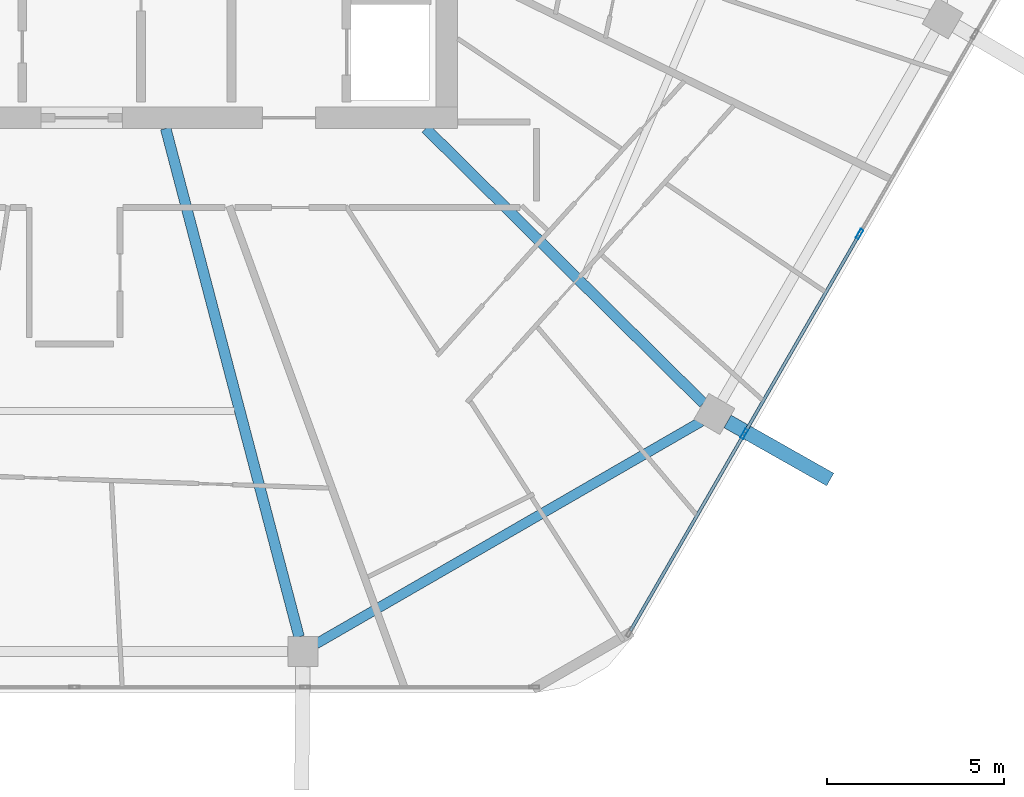
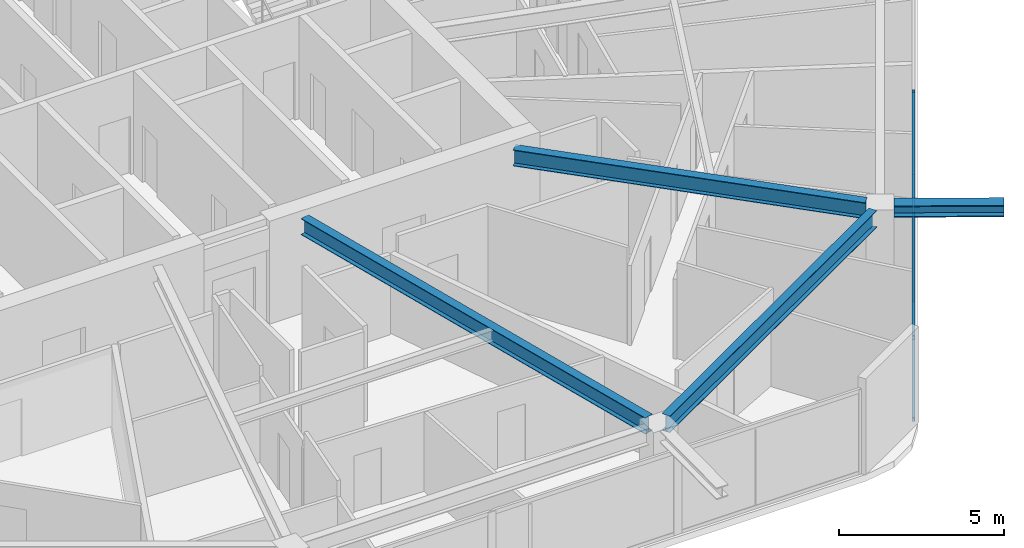
# One storey, part 8 of 26: 6 members, 4 beams, 1 element without a shape of its own.
"""IFC4 building model written with IfcOpenShell, lengths in metres."""

from ifc_helpers import new_model, si_unit, direction, frame, origin, origin_2d, place, context, subcontext, project, spatial, hollow_rectangle, i_section, extrude, material, material_profile, profile_set, type_object, element, aggregate, save


model = new_model("IFC4")

# Units and contexts
model_context = context("Model", 3, precision=1e-05, world=origin(), true_north=direction((0.0, 1.0)))
body_context = subcontext(model_context, "Body", "Model", "MODEL_VIEW")
ifc_project = project(units=[si_unit("LENGTHUNIT", "METRE"), si_unit("AREAUNIT", "SQUARE_METRE"), si_unit("VOLUMEUNIT", "CUBIC_METRE"), si_unit("PLANEANGLEUNIT", "RADIAN"), si_unit("MASSUNIT", "GRAM", prefix="KILO")], contexts=[model_context])

# Site, building, storey
site_placement = place(None, origin())
site = spatial("IfcSite", under=ifc_project, at=site_placement, CompositionType="ELEMENT")
building_placement = place(site_placement, origin())
building = spatial("IfcBuilding", under=site, at=building_placement, Name="Zuhravey Tower", CompositionType="ELEMENT")
storey_placement = place(building_placement, frame((0.0, 0.0, 295.800048828125)))
storey = spatial("IfcBuildingStorey", under=building, at=storey_placement, Name="L75", CompositionType="ELEMENT", Elevation=295.800048828125)

# Curtain wall, members
ifc_material_1 = material(Name="Thermally broken anodised aluminium", Category="aluminium")
curtain_wall_type = type_object("IfcCurtainWallType", Name="Zone 3-4 High-Rise Curtain Wall CW4", PredefinedType="NOTDEFINED", material=ifc_material_1)
curtain_wall_placement = place(storey_placement, origin())
curtain_wall = element("IfcCurtainWall", 1, at=curtain_wall_placement, inside=storey, type_object=curtain_wall_type, Name="L75 CW4 CW-L75-F6-1", PredefinedType="NOTDEFINED")
ifc_material_2 = material(Name="Anodised aluminium", Category="aluminium")
ifc_material_profile_1 = material_profile(ifc_material_2, hollow_rectangle(XDim=0.090087890625, YDim=0.284912109375, WallThickness=0.0048828125, at=origin_2d()), Name="ALU-RHS-90x285x5")
ifc_profile_set_1 = profile_set([ifc_material_profile_1], Name="Anodised aluminium")
member_type_1 = type_object("IfcMemberType", Name="Curtain-Wall Mullion 90x180", PredefinedType="MULLION", material=ifc_profile_set_1)
member_1_placement = place(storey_placement, frame((58.138671875, 19.21826171875, 0.0), z_axis=(0.0, 0.0, 1.0), x_axis=(0.866024851021, -0.500000957414, 0.0)))
member_1 = element("IfcMember", 2, at=member_1_placement, type_object=member_type_1, Name="CW4 mullion 3", PredefinedType="MULLION", context=body_context, shape_type="SweptSolid", body=[
    extrude(hollow_rectangle(XDim=0.090087890625, YDim=0.284912109375, WallThickness=0.0048828125, at=origin_2d()), origin(), (0.0, 0.0, 1.0), 3.1220703125),
])
member_2_placement = place(storey_placement, frame((54.885498046875, 13.58349609375, 0.0), z_axis=(0.0, 0.0, 1.0), x_axis=(0.866024851021, -0.500000957414, 0.0)))
member_2 = element("IfcMember", 3, at=member_2_placement, type_object=member_type_1, Name="CW4 mullion 4", PredefinedType="MULLION", context=body_context, shape_type="SweptSolid", body=[
    extrude(hollow_rectangle(XDim=0.090087890625, YDim=0.284912109375, WallThickness=0.0048828125, at=origin_2d()), origin(), (0.0, 0.0, 1.0), 3.1220703125),
])
ifc_material_profile_2 = material_profile(ifc_material_2, hollow_rectangle(XDim=0.090087890625, YDim=0.14990234375, WallThickness=0.0048828125, at=origin_2d()), Name="ALU-RHS-90x150x5")
ifc_profile_set_2 = profile_set([ifc_material_profile_2], Name="Anodised aluminium")
member_type_2 = type_object("IfcMemberType", Name="Curtain-Wall Transom 90x150", PredefinedType="USERDEFINED", material=ifc_profile_set_2)
member_3_placement = place(storey_placement, frame((58.1162109375, 19.17919921875, 0.044921875), z_axis=(-0.500014493347, -0.866017035885, 0.0), x_axis=(0.866017035885, -0.500014493347, 0.0)))
member_3 = element("IfcMember", 4, at=member_3_placement, type_object=member_type_2, Name="CW4 transom 3.1", ObjectType="TRANSOM", PredefinedType="USERDEFINED", context=body_context, shape_type="SweptSolid", body=[
    extrude(hollow_rectangle(XDim=0.090087890625, YDim=0.14990234375, WallThickness=0.0048828125, at=origin_2d()), origin(), (0.0, 0.0, 1.0), 6.416259765625),
])
member_4_placement = place(storey_placement, frame((58.1162109375, 19.17919921875, 3.076904296875), z_axis=(-0.500014493347, -0.866017035885, 0.0), x_axis=(0.866017035885, -0.500014493347, 0.0)))
member_4 = element("IfcMember", 5, at=member_4_placement, type_object=member_type_2, Name="CW4 transom 3.2", ObjectType="TRANSOM", PredefinedType="USERDEFINED", context=body_context, shape_type="SweptSolid", body=[
    extrude(hollow_rectangle(XDim=0.090087890625, YDim=0.14990234375, WallThickness=0.0048828125, at=origin_2d()), origin(), (0.0, 0.0, 1.0), 6.416259765625),
])
member_5_placement = place(storey_placement, frame((54.863037109375, 13.544677734375, 0.044921875), z_axis=(-0.499980071345, -0.866036909293, 0.0), x_axis=(0.866036909293, -0.499980071345, 0.0)))
member_5 = element("IfcMember", 6, at=member_5_placement, type_object=member_type_2, Name="CW4 transom 4.1", ObjectType="TRANSOM", PredefinedType="USERDEFINED", context=body_context, shape_type="SweptSolid", body=[
    extrude(hollow_rectangle(XDim=0.090087890625, YDim=0.14990234375, WallThickness=0.0048828125, at=origin_2d()), origin(), (0.0, 0.0, 1.0), 6.371337890625),
])
member_6_placement = place(storey_placement, frame((54.863037109375, 13.544677734375, 3.076904296875), z_axis=(-0.499980071345, -0.866036909293, 0.0), x_axis=(0.866036909293, -0.499980071345, 0.0)))
member_6 = element("IfcMember", 7, at=member_6_placement, type_object=member_type_2, Name="CW4 transom 4.2", ObjectType="TRANSOM", PredefinedType="USERDEFINED", context=body_context, shape_type="SweptSolid", body=[
    extrude(hollow_rectangle(XDim=0.090087890625, YDim=0.14990234375, WallThickness=0.0048828125, at=origin_2d()), origin(), (0.0, 0.0, 1.0), 6.371337890625),
])
aggregate(curtain_wall, [member_1, member_2, member_3, member_4, member_5, member_6])

# Beams
ifc_material_3 = material(Name="Steel SM460", Category="steel")
ifc_material_profile_3 = material_profile(ifc_material_3, i_section(OverallWidth=0.406982421875, OverallDepth=0.427978515625, WebThickness=0.02001953125, FlangeThickness=0.034912109375, at=origin_2d()), Name="H-428x407x20x35")
ifc_profile_set_3 = profile_set([ifc_material_profile_3], Name="Steel SM460")
beam_type_1 = type_object("IfcBeamType", Name="Exoskeleton Node Tie Beam H428x407", PredefinedType="BEAM", material=ifc_profile_set_3)
beam_1_placement = place(storey_placement, frame((54.4169921875, 13.93408203125, 3.3359375), z_axis=(0.870385064001, -0.492371648619, 0.0), x_axis=(0.492371648619, 0.870385064001, 0.0)))
element("IfcBeam", 8, at=beam_1_placement, inside=storey, type_object=beam_type_1, Name="L75 Exoskeleton Node Tie NT1-11", PredefinedType="BEAM", context=body_context, shape_type="SweptSolid", body=[
    extrude(i_section(OverallWidth=0.406982421875, OverallDepth=0.427978515625, WebThickness=0.02001953125, FlangeThickness=0.034912109375, at=origin_2d()), origin(), (0.0, 0.0, 1.0), 3.326171875),
])
ifc_material_4 = material(Name="Steel SM355", Category="steel")
ifc_material_profile_4 = material_profile(ifc_material_4, i_section(OverallWidth=0.280029296875, OverallDepth=0.6201171875, WebThickness=0.011962890625, FlangeThickness=0.02001953125, at=origin_2d()), Name="H-620x280x12x20")
ifc_profile_set_4 = profile_set([ifc_material_profile_4], Name="Steel SM355")
beam_type_2 = type_object("IfcBeamType", Name="Perimeter Ring Beam H620x280", PredefinedType="BEAM", material=ifc_profile_set_4)
beam_2_placement = place(storey_placement, frame((42.8115234375, 7.660400390625, 3.239990234375), z_axis=(0.866018312875, 0.500012281615, 0.0), x_axis=(-0.500012281615, 0.866018312875, 0.0)))
element("IfcBeam", 9, at=beam_2_placement, inside=storey, type_object=beam_type_2, Name="L75 PB3 BM-L75-PB-10", PredefinedType="BEAM", context=body_context, shape_type="SweptSolid", body=[
    extrude(i_section(OverallWidth=0.280029296875, OverallDepth=0.6201171875, WebThickness=0.011962890625, FlangeThickness=0.02001953125, at=origin_2d()), origin(), (0.0, 0.0, 1.0), 12.541748046875),
])
ifc_material_profile_5 = material_profile(ifc_material_4, i_section(OverallWidth=0.300048828125, OverallDepth=0.60009765625, WebThickness=0.011962890625, FlangeThickness=0.02001953125, at=origin_2d()), Name="H-600x300x12x20")
ifc_profile_set_5 = profile_set([ifc_material_profile_5], Name="Steel SM355")
beam_type_3 = type_object("IfcBeamType", Name="Radial Primary Girder H600x300", PredefinedType="BEAM", material=ifc_profile_set_5)
beam_3_placement = place(storey_placement, frame((38.571533203125, 22.197021484375, 3.25), z_axis=(0.25373188956, -0.967274587809, 0.0), x_axis=(0.967274587809, 0.25373188956, 0.0)))
element("IfcBeam", 10, at=beam_3_placement, inside=storey, type_object=beam_type_3, Name="L75 RG3 BM-L75-RAD-10", PredefinedType="BEAM", context=body_context, shape_type="SweptSolid", body=[
    extrude(i_section(OverallWidth=0.300048828125, OverallDepth=0.60009765625, WebThickness=0.011962890625, FlangeThickness=0.02001953125, at=origin_2d()), origin(), (0.0, 0.0, 1.0), 14.82177734375),
])
beam_4_placement = place(storey_placement, frame((45.90673828125, 22.197021484375, 3.25), z_axis=(0.710808169267, -0.70338591577, 0.0), x_axis=(0.70338591577, 0.710808169267, 0.0)))
element("IfcBeam", 11, at=beam_4_placement, inside=storey, type_object=beam_type_3, Name="L75 RG3 BM-L75-RAD-11", PredefinedType="BEAM", context=body_context, shape_type="SweptSolid", body=[
    extrude(i_section(OverallWidth=0.300048828125, OverallDepth=0.60009765625, WebThickness=0.011962890625, FlangeThickness=0.02001953125, at=origin_2d()), origin(), (0.0, 0.0, 1.0), 11.019287109375),
])

save(model, "model.ifc")
